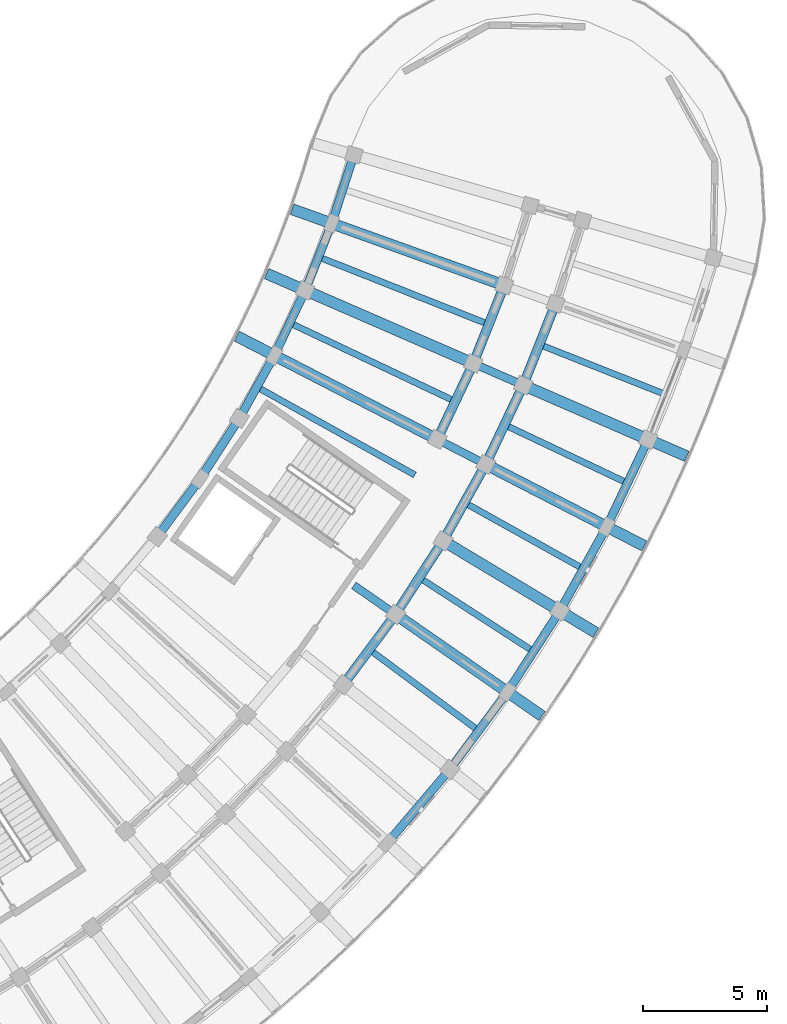
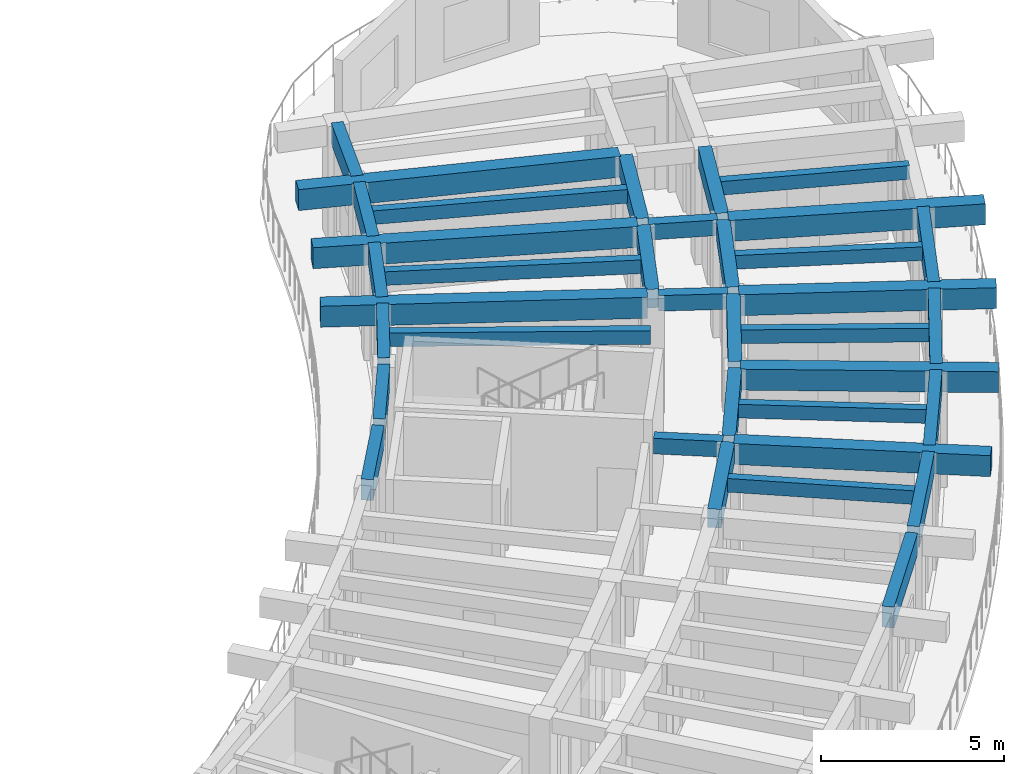
# One storey, part 58 of 128: 36 beams.
"""IFC4 building model written with IfcOpenShell, lengths in metres."""

from ifc_helpers import new_model, si_unit, direction, frame, origin, origin_2d, place, context, subcontext, project, spatial, rectangle, extrude, material, material_profile, profile_set, type_object, element, save


model = new_model("IFC4")

# Units and contexts
model_context = context("Model", 3, precision=1e-05, world=origin(), true_north=direction((0.0, 1.0)))
body_context = subcontext(model_context, "Body", "Model", "MODEL_VIEW")
ifc_project = project(units=[si_unit("LENGTHUNIT", "METRE"), si_unit("AREAUNIT", "SQUARE_METRE"), si_unit("VOLUMEUNIT", "CUBIC_METRE"), si_unit("PLANEANGLEUNIT", "RADIAN"), si_unit("MASSUNIT", "GRAM", prefix="KILO")], contexts=[model_context])

# Site, building, storey
site_placement = place(None, origin())
site = spatial("IfcSite", under=ifc_project, at=site_placement, CompositionType="ELEMENT")
building_placement = place(site_placement, origin())
building = spatial("IfcBuilding", under=site, at=building_placement, Name="Tanwirah Colonnade Gardens", CompositionType="ELEMENT")
storey_placement = place(building_placement, frame((0.0, 0.0, 4.760009765625)))
storey = spatial("IfcBuildingStorey", under=building, at=storey_placement, Name="L01", CompositionType="ELEMENT", Elevation=4.760009765625)

# Beams
ifc_material_1 = material(Name="Precast concrete C40/50", Category="concrete")
ifc_material_profile_1 = material_profile(ifc_material_1, rectangle(XDim=0.320068359375, YDim=0.52001953125, at=origin_2d()), Name="PC-BM 320x520")
ifc_profile_set_1 = profile_set([ifc_material_profile_1], Name="Precast concrete C40/50")
beam_type_1 = type_object("IfcBeamType", Name="BM-PC320", PredefinedType="BEAM", material=ifc_profile_set_1)
beam_1_placement = place(storey_placement, frame((163.7255859375, 34.860107421875, 3.56494140625), z_axis=(0.821669163201, -0.569964723684, 0.0), x_axis=(0.569964723684, 0.821669163201, 0.0)))
element("IfcBeam", 1, at=beam_1_placement, inside=storey, type_object=beam_type_1, Name="Block D L01 Corridor Tie Beam 11", PredefinedType="BEAM", context=body_context, shape_type="SweptSolid", body=[
    extrude(rectangle(XDim=0.320068359375, YDim=0.52001953125, at=origin_2d()), origin(), (0.0, 0.0, 1.0), 1.900146484375),
])
beam_2_placement = place(storey_placement, frame((167.22900390625, 40.690673828125, 3.56494140625), z_axis=(0.888965044602, -0.457975053334, 0.0), x_axis=(0.457975053334, 0.888965044602, 0.0)))
element("IfcBeam", 2, at=beam_2_placement, inside=storey, type_object=beam_type_1, Name="Block D L01 Corridor Tie Beam 13", PredefinedType="BEAM", context=body_context, shape_type="SweptSolid", body=[
    extrude(rectangle(XDim=0.320068359375, YDim=0.52001953125, at=origin_2d()), origin(), (0.0, 0.0, 1.0), 1.89990234375),
])
beam_3_placement = place(storey_placement, frame((168.68701171875, 43.76513671875, 3.56494140625), z_axis=(0.917025109963, -0.398829471952, 0.0), x_axis=(0.398829471952, 0.917025109963, 0.0)))
element("IfcBeam", 3, at=beam_3_placement, inside=storey, type_object=beam_type_1, Name="Block D L01 Corridor Tie Beam 14", PredefinedType="BEAM", context=body_context, shape_type="SweptSolid", body=[
    extrude(rectangle(XDim=0.320068359375, YDim=0.52001953125, at=origin_2d()), origin(), (0.0, 0.0, 1.0), 1.900146484375),
])
ifc_material_profile_2 = material_profile(ifc_material_1, rectangle(XDim=0.3798828125, YDim=0.6201171875, at=origin_2d()), Name="PC-BM 380x620")
ifc_profile_set_2 = profile_set([ifc_material_profile_2], Name="Precast concrete C40/50")
beam_type_2 = type_object("IfcBeamType", Name="BM-PC380", PredefinedType="BEAM", material=ifc_profile_set_2)
beam_4_placement = place(storey_placement, frame((163.389404296875, 30.973388671875, 3.514892578125), z_axis=(0.596579473879, 0.802554005252, 0.0), x_axis=(-0.802554005252, 0.596579473879, 0.0)))
element("IfcBeam", 4, at=beam_4_placement, inside=storey, type_object=beam_type_2, Name="Block D L01 Circumferential Beam 10-R2", PredefinedType="BEAM", context=body_context, shape_type="SweptSolid", body=[
    extrude(rectangle(XDim=0.3798828125, YDim=0.6201171875, at=origin_2d()), origin(), (0.0, 0.0, 1.0), 3.237060546875),
])
for number, where, z_axis, x_axis, name in (
    (5, (165.491455078125, 33.817626953125, 3.514892578125), (0.542825891173, 0.839845254718, 0.0), (-0.839845254718, 0.542825891173, 0.0), "Block D L01 Circumferential Beam 11-R2"),
    (6, (167.40283203125, 36.793212890625, 3.514892578125), (0.486712025227, 0.873562478875, 0.0), (-0.873562478875, 0.486712025227, 0.0), "Block D L01 Circumferential Beam 12-R2"),
):
    element("IfcBeam", number, at=place(storey_placement, frame(where, z_axis=z_axis, x_axis=x_axis)), inside=storey, type_object=beam_type_2, Name=name, PredefinedType="BEAM", context=body_context, shape_type="SweptSolid", body=[
        extrude(rectangle(XDim=0.3798828125, YDim=0.6201171875, at=origin_2d()), origin(), (0.0, 0.0, 1.0), 3.23681640625),
    ])
beam_5_placement = place(storey_placement, frame((167.159912109375, 40.894775390625, 3.514892578125), z_axis=(0.428520598641, 0.903532011907, 0.0), x_axis=(-0.903532011907, 0.428520598641, 0.0)))
element("IfcBeam", 7, at=beam_5_placement, inside=storey, type_object=beam_type_2, Name="Block D L01 Circumferential Beam 13-R1", PredefinedType="BEAM", context=body_context, shape_type="SweptSolid", body=[
    extrude(rectangle(XDim=0.3798828125, YDim=0.6201171875, at=origin_2d()), origin(), (0.0, 0.0, 1.0), 3.093017578125),
])
beam_6_placement = place(storey_placement, frame((169.11572265625, 39.887451171875, 3.514892578125), z_axis=(0.428562893949, 0.903511951183, 0.0), x_axis=(-0.903511951183, 0.428562893949, 0.0)))
element("IfcBeam", 8, at=beam_6_placement, inside=storey, type_object=beam_type_2, Name="Block D L01 Circumferential Beam 13-R2", PredefinedType="BEAM", context=body_context, shape_type="SweptSolid", body=[
    extrude(rectangle(XDim=0.3798828125, YDim=0.6201171875, at=origin_2d()), origin(), (0.0, 0.0, 1.0), 3.23681640625),
])
beam_7_placement = place(storey_placement, frame((168.604736328125, 43.96435546875, 3.514892578125), z_axis=(0.368544574427, 0.929610077753, 0.0), x_axis=(-0.929610077753, 0.368544574427, 0.0)))
element("IfcBeam", 9, at=beam_7_placement, inside=storey, type_object=beam_type_2, Name="Block D L01 Circumferential Beam 14-R1", PredefinedType="BEAM", context=body_context, shape_type="SweptSolid", body=[
    extrude(rectangle(XDim=0.3798828125, YDim=0.6201171875, at=origin_2d()), origin(), (0.0, 0.0, 1.0), 3.093017578125),
])
beam_8_placement = place(storey_placement, frame((170.622314453125, 43.087158203125, 3.514892578125), z_axis=(0.368527954052, 0.929616666741, 0.0), x_axis=(-0.929616666741, 0.368527954052, 0.0)))
element("IfcBeam", 10, at=beam_8_placement, inside=storey, type_object=beam_type_2, Name="Block D L01 Circumferential Beam 14-R2", PredefinedType="BEAM", context=body_context, shape_type="SweptSolid", body=[
    extrude(rectangle(XDim=0.3798828125, YDim=0.6201171875, at=origin_2d()), origin(), (0.0, 0.0, 1.0), 3.23681640625),
])
ifc_material_2 = material(Name="Precast concrete C45/55", Category="concrete")
ifc_material_profile_3 = material_profile(ifc_material_2, rectangle(XDim=0.449951171875, YDim=0.699951171875, at=origin_2d()), Name="PC-BM 450x700")
ifc_profile_set_3 = profile_set([ifc_material_profile_3], Name="Precast concrete C45/55")
beam_type_3 = type_object("IfcBeamType", Name="BM-PC450", PredefinedType="BEAM", material=ifc_profile_set_3)
for number, where, z_axis, x_axis, name in (
    (11, (165.533203125, 33.606201171875, 3.47509765625), (0.821647028495, -0.569996632066, 0.0), (0.569996632066, 0.821647028495, 0.0), "Block D L01 Outer Radial Precast Girder 11"),
    (12, (167.45849609375, 36.5849609375, 3.47509765625), (0.857159687729, -0.515050744812, 0.0), (0.515050744812, 0.857159687729, 0.0), "Block D L01 Outer Radial Precast Girder 12"),
):
    element("IfcBeam", number, at=place(storey_placement, frame(where, z_axis=z_axis, x_axis=x_axis)), inside=storey, type_object=beam_type_3, Name=name, PredefinedType="BEAM", context=body_context, shape_type="SweptSolid", body=[
        extrude(rectangle(XDim=0.449951171875, YDim=0.699951171875, at=origin_2d()), origin(), (0.0, 0.0, 1.0), 7.050048828125),
    ])
beam_9_placement = place(storey_placement, frame((166.962158203125, 40.827880859375, 3.47509765625), z_axis=(-0.889022337846, 0.457863825619, 0.0), x_axis=(-0.457863825619, -0.889022337846, 0.0)))
element("IfcBeam", 13, at=beam_9_placement, inside=storey, type_object=beam_type_3, Name="Block D L01 Inner Radial Precast Girder 13", PredefinedType="BEAM", context=body_context, shape_type="SweptSolid", body=[
    extrude(rectangle(XDim=0.449951171875, YDim=0.699951171875, at=origin_2d()), origin(), (0.0, 0.0, 1.0), 8.949951171875),
])
beam_10_placement = place(storey_placement, frame((169.184814453125, 39.683349609375, 3.47509765625), z_axis=(0.889016420099, -0.457875315774, 0.0), x_axis=(0.457875315774, 0.889016420099, 0.0)))
element("IfcBeam", 14, at=beam_10_placement, inside=storey, type_object=beam_type_3, Name="Block D L01 Outer Radial Precast Girder 13", PredefinedType="BEAM", context=body_context, shape_type="SweptSolid", body=[
    extrude(rectangle(XDim=0.449951171875, YDim=0.699951171875, at=origin_2d()), origin(), (0.0, 0.0, 1.0), 7.050048828125),
])
beam_11_placement = place(storey_placement, frame((168.412109375, 43.884765625, 3.47509765625), z_axis=(-0.917069622575, 0.398727108872, 0.0), x_axis=(-0.398727108872, -0.917069622575, 0.0)))
element("IfcBeam", 15, at=beam_11_placement, inside=storey, type_object=beam_type_3, Name="Block D L01 Inner Radial Precast Girder 14", PredefinedType="BEAM", context=body_context, shape_type="SweptSolid", body=[
    extrude(rectangle(XDim=0.449951171875, YDim=0.699951171875, at=origin_2d()), origin(), (0.0, 0.0, 1.0), 8.949951171875),
])
beam_12_placement = place(storey_placement, frame((170.70458984375, 42.8876953125, 3.47509765625), z_axis=(0.91706895514, -0.398728643965, 0.0), x_axis=(0.398728643965, 0.91706895514, 0.0)))
element("IfcBeam", 16, at=beam_12_placement, inside=storey, type_object=beam_type_3, Name="Block D L01 Outer Radial Precast Girder 14", PredefinedType="BEAM", context=body_context, shape_type="SweptSolid", body=[
    extrude(rectangle(XDim=0.449951171875, YDim=0.699951171875, at=origin_2d()), origin(), (0.0, 0.0, 1.0), 7.050048828125),
])
beam_13_placement = place(storey_placement, frame((169.65869140625, 47.02978515625, 3.47509765625), z_axis=(-0.941180212187, 0.337905028356, 0.0), x_axis=(-0.337905028356, -0.941180212187, 0.0)))
element("IfcBeam", 17, at=beam_13_placement, inside=storey, type_object=beam_type_3, Name="Block D L01 Inner Radial Precast Girder 15", PredefinedType="BEAM", context=body_context, shape_type="SweptSolid", body=[
    extrude(rectangle(XDim=0.449951171875, YDim=0.699951171875, at=origin_2d()), origin(), (0.0, 0.0, 1.0), 8.94970703125),
])
ifc_material_profile_4 = material_profile(ifc_material_1, rectangle(XDim=0.2548828125, YDim=0.455078125, at=origin_2d()), Name="PC-JST 255x455")
ifc_profile_set_4 = profile_set([ifc_material_profile_4], Name="Precast concrete C40/50")
beam_type_4 = type_object("IfcBeamType", Name="JST-PC240", PredefinedType="JOIST", material=ifc_profile_set_4)
for number, where, z_axis, x_axis, name in (
    (18, (164.474609375, 32.18359375, 3.597412109375), (0.802560347737, -0.596570941499, 0.0), (0.596570941499, 0.802560347737, 0.0), "Block D L01 Precast Floor Joist 10"),
    (19, (166.4951171875, 35.09619140625, 3.597412109375), (0.839842770955, -0.542829733963, 0.0), (0.542829733963, 0.839842770955, 0.0), "Block D L01 Precast Floor Joist 11"),
    (20, (168.32080078125, 38.134521484375, 3.597412109375), (0.87356769437, -0.486702664214, 0.0), (0.486702664214, 0.87356769437, 0.0), "Block D L01 Precast Floor Joist 12"),
):
    element("IfcBeam", number, at=place(storey_placement, frame(where, z_axis=z_axis, x_axis=x_axis)), inside=storey, type_object=beam_type_4, Name=name, PredefinedType="JOIST", context=body_context, shape_type="SweptSolid", body=[
        extrude(rectangle(XDim=0.2548828125, YDim=0.455078125, at=origin_2d()), origin(), (0.0, 0.0, 1.0), 5.260009765625),
    ])
beam_14_placement = place(storey_placement, frame((159.9345703125, 42.80712890625, 3.597412109375), z_axis=(0.873559899034, -0.486716655561, 0.0), x_axis=(0.486716655561, 0.873559899034, 0.0)))
element("IfcBeam", 21, at=beam_14_placement, inside=storey, type_object=beam_type_4, Name="Block D L01 Inner Precast Floor Joist 12", PredefinedType="JOIST", context=body_context, shape_type="SweptSolid", body=[
    extrude(rectangle(XDim=0.2548828125, YDim=0.455078125, at=origin_2d()), origin(), (0.0, 0.0, 1.0), 7.159912109375),
])
beam_15_placement = place(storey_placement, frame((169.94384765625, 41.285888671875, 3.597412109375), z_axis=(0.903517509842, -0.428551174785, 0.0), x_axis=(0.428551174785, 0.903517509842, 0.0)))
element("IfcBeam", 22, at=beam_15_placement, inside=storey, type_object=beam_type_4, Name="Block D L01 Precast Floor Joist 13", PredefinedType="JOIST", context=body_context, shape_type="SweptSolid", body=[
    extrude(rectangle(XDim=0.2548828125, YDim=0.455078125, at=origin_2d()), origin(), (0.0, 0.0, 1.0), 5.260009765625),
])
beam_16_placement = place(storey_placement, frame((161.27001953125, 45.39990234375, 3.597412109375), z_axis=(0.903522492189, -0.428540670308, 0.0), x_axis=(0.428540670308, 0.903522492189, 0.0)))
element("IfcBeam", 23, at=beam_16_placement, inside=storey, type_object=beam_type_4, Name="Block D L01 Inner Precast Floor Joist 13", PredefinedType="JOIST", context=body_context, shape_type="SweptSolid", body=[
    extrude(rectangle(XDim=0.2548828125, YDim=0.455078125, at=origin_2d()), origin(), (0.0, 0.0, 1.0), 7.159912109375),
])
beam_17_placement = place(storey_placement, frame((171.357177734375, 44.53662109375, 3.597412109375), z_axis=(0.929618207145, -0.368524068338, 0.0), x_axis=(0.368524068338, 0.929618207145, 0.0)))
element("IfcBeam", 24, at=beam_17_placement, inside=storey, type_object=beam_type_4, Name="Block D L01 Precast Floor Joist 14", PredefinedType="JOIST", context=body_context, shape_type="SweptSolid", body=[
    extrude(rectangle(XDim=0.2548828125, YDim=0.455078125, at=origin_2d()), origin(), (0.0, 0.0, 1.0), 5.260009765625),
])
beam_18_placement = place(storey_placement, frame((162.432861328125, 48.07470703125, 3.597412109375), z_axis=(0.929619798141, -0.368520054956, 0.0), x_axis=(0.368520054956, 0.929619798141, 0.0)))
element("IfcBeam", 25, at=beam_18_placement, inside=storey, type_object=beam_type_4, Name="Block D L01 Inner Precast Floor Joist 14", PredefinedType="JOIST", context=body_context, shape_type="SweptSolid", body=[
    extrude(rectangle(XDim=0.2548828125, YDim=0.455078125, at=origin_2d()), origin(), (0.0, 0.0, 1.0), 7.16015625),
])
ifc_material_profile_5 = material_profile(ifc_material_2, rectangle(XDim=0.340087890625, YDim=0.699951171875, at=origin_2d()), Name="PC-SP 340x700")
ifc_profile_set_5 = profile_set([ifc_material_profile_5], Name="Precast concrete C45/55")
beam_type_5 = type_object("IfcBeamType", Name="SP-PC340", PredefinedType="SPANDREL", material=ifc_profile_set_5)
beam_19_placement = place(storey_placement, frame((165.17724609375, 24.574951171875, 3.47509765625), z_axis=(0.647784367984, 0.76182374116, 0.0), x_axis=(-0.76182374116, 0.647784367984, 0.0)))
element("IfcBeam", 26, at=beam_19_placement, inside=storey, type_object=beam_type_5, Name="Block D L01 Circumferential Beam 9-R3", PredefinedType="SPANDREL", context=body_context, shape_type="SweptSolid", body=[
    extrude(rectangle(XDim=0.340087890625, YDim=0.699951171875, at=origin_2d()), origin(), (0.0, 0.0, 1.0), 3.5966796875),
])
beam_20_placement = place(storey_placement, frame((155.87646484375, 36.94970703125, 3.47509765625), z_axis=(0.596565220249, 0.802564600508, 0.0), x_axis=(-0.802564600508, 0.596565220249, 0.0)))
element("IfcBeam", 27, at=beam_20_placement, inside=storey, type_object=beam_type_5, Name="Block D L01 Circumferential Beam 10-R0", PredefinedType="SPANDREL", context=body_context, shape_type="SweptSolid", body=[
    extrude(rectangle(XDim=0.340087890625, YDim=0.699951171875, at=origin_2d()), origin(), (0.0, 0.0, 1.0), 2.6083984375),
])
beam_21_placement = place(storey_placement, frame((167.69384765625, 27.549560546875, 3.47509765625), z_axis=(0.596562665898, 0.802566499212, 0.0), x_axis=(-0.802566499212, 0.596562665898, 0.0)))
element("IfcBeam", 28, at=beam_21_placement, inside=storey, type_object=beam_type_5, Name="Block D L01 Circumferential Beam 10-R3", PredefinedType="SPANDREL", context=body_context, shape_type="SweptSolid", body=[
    extrude(rectangle(XDim=0.340087890625, YDim=0.699951171875, at=origin_2d()), origin(), (0.0, 0.0, 1.0), 3.596923828125),
])
beam_22_placement = place(storey_placement, frame((157.603515625, 39.28955078125, 3.47509765625), z_axis=(0.542874837406, 0.83981361677, 0.0), x_axis=(-0.83981361677, 0.542874837406, 0.0)))
element("IfcBeam", 29, at=beam_22_placement, inside=storey, type_object=beam_type_5, Name="Block D L01 Circumferential Beam 11-R0", PredefinedType="SPANDREL", context=body_context, shape_type="SweptSolid", body=[
    extrude(rectangle(XDim=0.340087890625, YDim=0.699951171875, at=origin_2d()), origin(), (0.0, 0.0, 1.0), 2.60888671875),
])
beam_23_placement = place(storey_placement, frame((170.010498046875, 30.6826171875, 3.47509765625), z_axis=(0.542786838894, 0.839870494495, 0.0), x_axis=(-0.839870494495, 0.542786838894, 0.0)))
element("IfcBeam", 30, at=beam_23_placement, inside=storey, type_object=beam_type_5, Name="Block D L01 Circumferential Beam 11-R3", PredefinedType="SPANDREL", context=body_context, shape_type="SweptSolid", body=[
    extrude(rectangle(XDim=0.340087890625, YDim=0.699951171875, at=origin_2d()), origin(), (0.0, 0.0, 1.0), 3.596923828125),
])
beam_24_placement = place(storey_placement, frame((159.174072265625, 41.737548828125, 3.47509765625), z_axis=(0.486747049114, 0.873542964129, 0.0), x_axis=(-0.873542964129, 0.486747049114, 0.0)))
element("IfcBeam", 31, at=beam_24_placement, inside=storey, type_object=beam_type_5, Name="Block D L01 Circumferential Beam 12-R0", PredefinedType="SPANDREL", context=body_context, shape_type="SweptSolid", body=[
    extrude(rectangle(XDim=0.340087890625, YDim=0.699951171875, at=origin_2d()), origin(), (0.0, 0.0, 1.0), 2.608642578125),
])
beam_25_placement = place(storey_placement, frame((172.117431640625, 33.96044921875, 3.47509765625), z_axis=(0.486679958674, 0.87358034423, 0.0), x_axis=(-0.87358034423, 0.486679958674, 0.0)))
element("IfcBeam", 32, at=beam_25_placement, inside=storey, type_object=beam_type_5, Name="Block D L01 Circumferential Beam 12-R3", PredefinedType="SPANDREL", context=body_context, shape_type="SweptSolid", body=[
    extrude(rectangle(XDim=0.340087890625, YDim=0.699951171875, at=origin_2d()), origin(), (0.0, 0.0, 1.0), 3.5966796875),
])
beam_26_placement = place(storey_placement, frame((160.5810546875, 44.282958984375, 3.47509765625), z_axis=(0.428512709915, 0.903535753272, 0.0), x_axis=(-0.903535753272, 0.428512709915, 0.0)))
element("IfcBeam", 33, at=beam_26_placement, inside=storey, type_object=beam_type_5, Name="Block D L01 Circumferential Beam 13-R0", PredefinedType="SPANDREL", context=body_context, shape_type="SweptSolid", body=[
    extrude(rectangle(XDim=0.340087890625, YDim=0.699951171875, at=origin_2d()), origin(), (0.0, 0.0, 1.0), 2.60888671875),
])
beam_27_placement = place(storey_placement, frame((174.00537109375, 37.369140625, 3.47509765625), z_axis=(0.428518139447, 0.903533178231, 0.0), x_axis=(-0.903533178231, 0.428518139447, 0.0)))
element("IfcBeam", 34, at=beam_27_placement, inside=storey, type_object=beam_type_5, Name="Block D L01 Circumferential Beam 13-R3", PredefinedType="SPANDREL", context=body_context, shape_type="SweptSolid", body=[
    extrude(rectangle(XDim=0.340087890625, YDim=0.699951171875, at=origin_2d()), origin(), (0.0, 0.0, 1.0), 3.5966796875),
])
beam_28_placement = place(storey_placement, frame((161.818603515625, 46.9150390625, 3.47509765625), z_axis=(0.368549031306, 0.929608310808, 0.0), x_axis=(-0.929608310808, 0.368549031306, 0.0)))
element("IfcBeam", 35, at=beam_28_placement, inside=storey, type_object=beam_type_5, Name="Block D L01 Circumferential Beam 14-R0", PredefinedType="SPANDREL", context=body_context, shape_type="SweptSolid", body=[
    extrude(rectangle(XDim=0.340087890625, YDim=0.699951171875, at=origin_2d()), origin(), (0.0, 0.0, 1.0), 2.608642578125),
])
beam_29_placement = place(storey_placement, frame((162.88134765625, 49.622314453125, 3.47509765625), z_axis=(0.306948094518, 0.951726256479, 0.0), x_axis=(-0.951726256479, 0.306948094518, 0.0)))
element("IfcBeam", 36, at=beam_29_placement, inside=storey, type_object=beam_type_5, Name="Block D L01 Circumferential Beam 15-R0", PredefinedType="SPANDREL", context=body_context, shape_type="SweptSolid", body=[
    extrude(rectangle(XDim=0.340087890625, YDim=0.699951171875, at=origin_2d()), origin(), (0.0, 0.0, 1.0), 2.60888671875),
])

save(model, "model.ifc")
